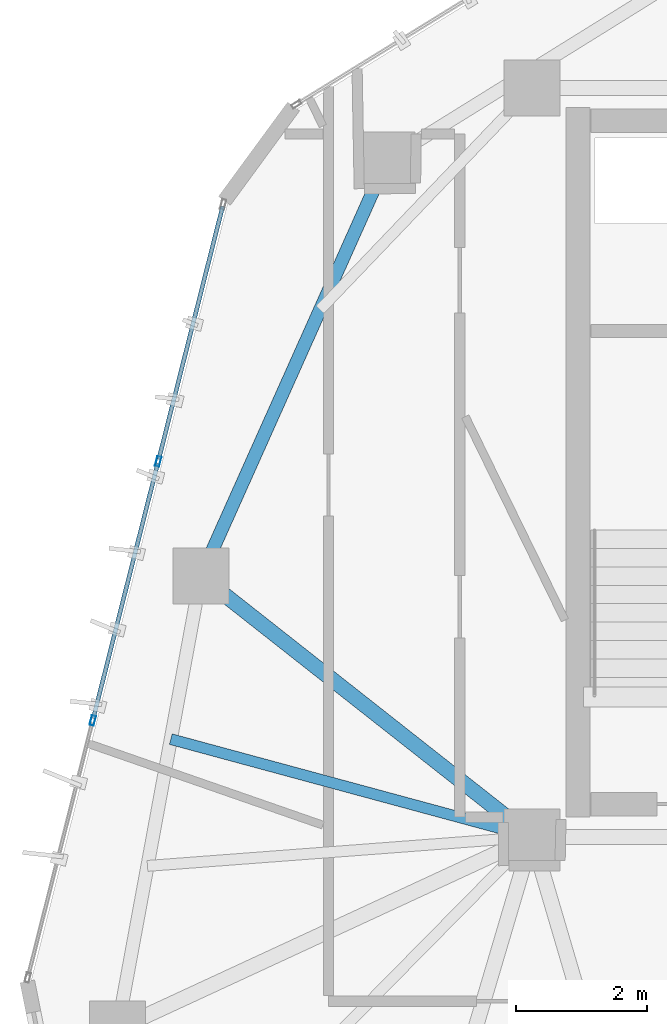
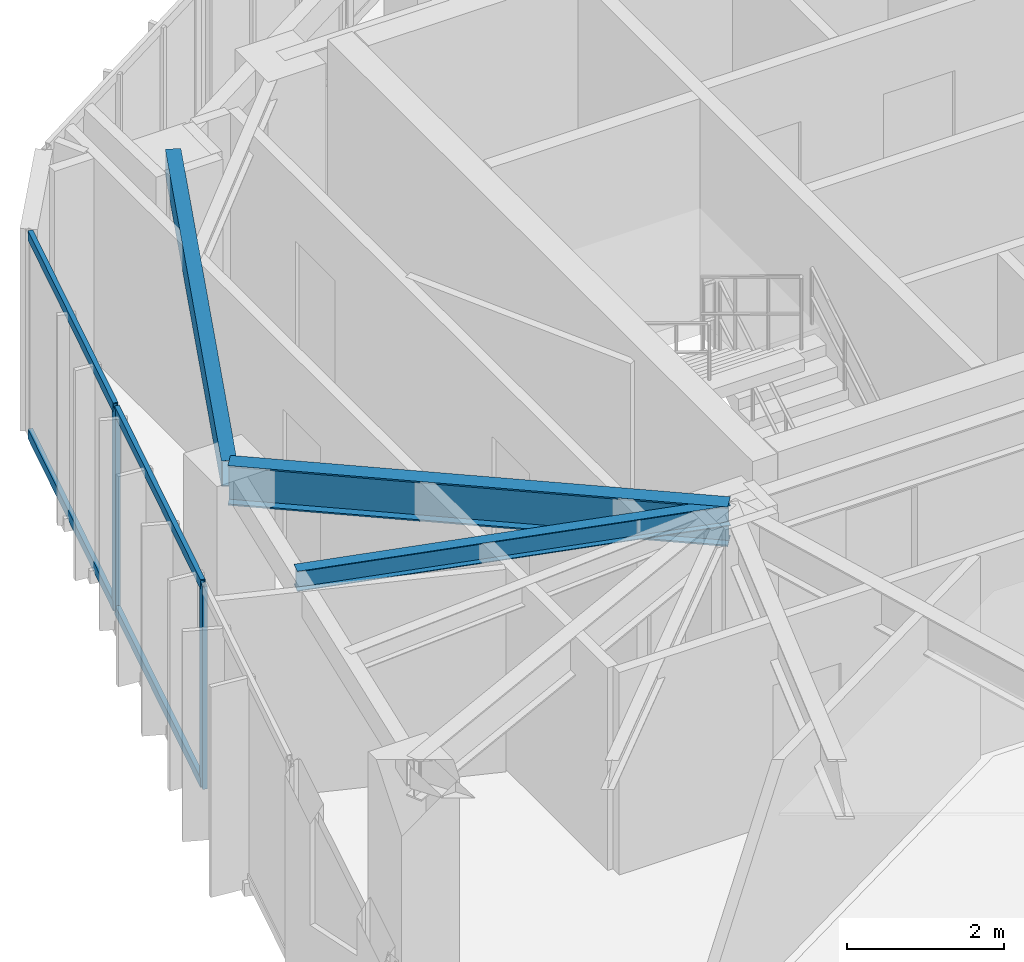
# One storey, part 8 of 20: 6 members, 3 beams, 1 element without a shape of its own.
"""IFC4 building model written with IfcOpenShell, lengths in metres."""

import ifcopenshell
import ifcopenshell.guid

model = None  # the IFC model being written
_history = None  # IfcOwnerHistory: only IFC2X3 demands one
_inside = {}  # id of a spatial element -> (the spatial element, [elements in it])
_under = {}  # id of a project, library or spatial element -> (it, [spatial elements below it])
_declared = {}  # id of a project -> (the project, [libraries it declares])
_typed = {}  # id of a type object -> (the type object, [elements of that type])
_made_of = {}  # id of a material, layer set ... -> (it, [elements and type objects made of it])


def new_model(schema):
    """Start an empty IFC model of exactly this schema.

    Asked for "IFC4X3", IfcOpenShell would pick the latest addendum, in which some entities
    have other attributes; the version numbers below select the first issue.
    IFC2X3 requires an IfcOwnerHistory on every rooted entity: one is made here for all.
    """
    global model, _history
    if schema == "IFC4X3":
        model = ifcopenshell.file(schema_version=(4, 3, 0, 0))
    else:
        model = ifcopenshell.file(schema=schema)
    _inside.clear()
    _under.clear()
    _declared.clear()
    _typed.clear()
    _made_of.clear()
    _history = None
    if model.schema == "IFC2X3":
        org = make("IfcOrganization", Name="unknown")
        user = make(
            "IfcPersonAndOrganization",
            ThePerson=make("IfcPerson", FamilyName="unknown"),
            TheOrganization=org,
        )
        app = make(
            "IfcApplication",
            ApplicationDeveloper=org,
            Version="unknown",
            ApplicationFullName="unknown",
            ApplicationIdentifier="unknown",
        )
        _history = make(
            "IfcOwnerHistory",
            OwningUser=user,
            OwningApplication=app,
            ChangeAction="ADDED",
            CreationDate=0,
        )
    return model


def make(cls, **values):
    """One entity of the class cls with the attributes given. An attribute that is None is left unset."""
    return model.create_entity(
        cls, **{name: value for name, value in values.items() if value is not None}
    )


def rooted(cls, **values):
    """An entity with a GlobalId (a new one), such as an element, a storey or a relation."""
    return make(cls, GlobalId=ifcopenshell.guid.new(), OwnerHistory=_history, **values)


def si_unit(unit_type, name, prefix=None):
    """IfcSIUnit, for example si_unit("LENGTHUNIT", "METRE", prefix="MILLI")."""
    return make("IfcSIUnit", UnitType=unit_type, Prefix=prefix, Name=name)


def assignment(units):
    """IfcUnitAssignment: the units of a project."""
    return None if units is None else make("IfcUnitAssignment", Units=units)


def point(xyz):
    """IfcCartesianPoint."""
    return None if xyz is None else make("IfcCartesianPoint", Coordinates=xyz)


def direction(xyz):
    """IfcDirection."""
    return None if xyz is None else make("IfcDirection", DirectionRatios=xyz)


def frame(location, z_axis=None, x_axis=None):
    """IfcAxis2Placement3D, a coordinate frame: its origin and axes. An axis left out is left unset."""
    return make(
        "IfcAxis2Placement3D",
        Location=point(location),
        Axis=direction(z_axis),
        RefDirection=direction(x_axis),
    )


def frame_2d(location, x_axis=None):
    """IfcAxis2Placement2D, a coordinate frame in the plane: its origin and x axis."""
    return make(
        "IfcAxis2Placement2D", Location=point(location), RefDirection=direction(x_axis)
    )


def origin():
    """The frame at (0, 0, 0) with its axes left unset."""
    return frame((0.0, 0.0, 0.0))


def origin_2d():
    """The frame at (0, 0) in the plane with its x axis left unset."""
    return frame_2d((0.0, 0.0))


def place(relative_to, where):
    """IfcLocalPlacement: puts the frame where relative to a parent placement (None: the world)."""
    return make(
        "IfcLocalPlacement", PlacementRelTo=relative_to, RelativePlacement=where
    )


def context(
    kind, dimensions, precision=None, world=None, true_north=None, identifier=None
):
    """IfcGeometricRepresentationContext, for example the 3D "Model" context."""
    return make(
        "IfcGeometricRepresentationContext",
        ContextIdentifier=identifier,
        ContextType=kind,
        CoordinateSpaceDimension=dimensions,
        Precision=precision,
        WorldCoordinateSystem=world,
        TrueNorth=true_north,
    )


def subcontext(parent, identifier, kind, view, scale=None):
    """IfcGeometricRepresentationSubContext, for example "Body" below "Model"."""
    return make(
        "IfcGeometricRepresentationSubContext",
        ContextIdentifier=identifier,
        ContextType=kind,
        ParentContext=parent,
        TargetScale=scale,
        TargetView=view,
    )


def project(units=None, contexts=None):
    """IfcProject with its units and contexts."""
    return rooted(
        "IfcProject",
        Name="project",
        RepresentationContexts=contexts,
        UnitsInContext=assignment(units),
    )


def spatial(cls, under=None, at=None, **own):
    """A site, building, storey or space (cls), placed at a placement, below another one or the project."""
    s = rooted(cls, ObjectPlacement=at, **own)
    if under is not None:
        _under.setdefault(under.id(), (under, []))[1].append(s)
    return s


def profile(cls, at=None, kind="AREA", **sizes):
    """A parametric profile (cls). Its sizes go by their IFC names, for example OverallWidth=200.0."""
    return make(cls, ProfileType=kind, Position=at, **sizes)


def hollow_rectangle(**sizes):
    """IfcRectangleHollowProfileDef."""
    return profile("IfcRectangleHollowProfileDef", **sizes)


def i_section(**sizes):
    """IfcIShapeProfileDef."""
    return profile("IfcIShapeProfileDef", **sizes)


def extrude(swept, where, along, depth):
    """IfcExtrudedAreaSolid: the profile swept, set in the frame where, extruded along a direction by depth."""
    return make(
        "IfcExtrudedAreaSolid",
        SweptArea=swept,
        Position=where,
        ExtrudedDirection=direction(along),
        Depth=depth,
    )


def shape(context_of_items, identifier, shape_type, items):
    """IfcShapeRepresentation: the items that make up one representation, for example the "Body"."""
    return make(
        "IfcShapeRepresentation",
        ContextOfItems=context_of_items,
        RepresentationIdentifier=identifier,
        RepresentationType=shape_type,
        Items=items,
    )


def source(mapping_origin, context_of_items, identifier, shape_type, items):
    """IfcRepresentationMap: a shape defined once, which mapped items show again and again."""
    return make(
        "IfcRepresentationMap",
        MappingOrigin=mapping_origin,
        MappedRepresentation=shape(context_of_items, identifier, shape_type, items),
    )


def transform(
    local_origin,
    x_axis=None,
    y_axis=None,
    z_axis=None,
    scale=None,
    scale2=None,
    scale3=None,
    uniform=True,
):
    """IfcCartesianTransformationOperator3D, or its non-uniform kind. x_axis, y_axis, z_axis: its Axis1, 2, 3."""
    if uniform:
        return make(
            "IfcCartesianTransformationOperator3D",
            Axis1=direction(x_axis),
            Axis2=direction(y_axis),
            LocalOrigin=point(local_origin),
            Scale=scale,
            Axis3=direction(z_axis),
        )
    return make(
        "IfcCartesianTransformationOperator3DnonUniform",
        Axis1=direction(x_axis),
        Axis2=direction(y_axis),
        LocalOrigin=point(local_origin),
        Scale=scale,
        Axis3=direction(z_axis),
        Scale2=scale2,
        Scale3=scale3,
    )


def mapped(mapping_source, mapping_target):
    """IfcMappedItem: shows the shape of a source again, moved by a transform."""
    return make(
        "IfcMappedItem", MappingSource=mapping_source, MappingTarget=mapping_target
    )


def material(Name=None, Category=None):
    """IfcMaterial."""
    return make("IfcMaterial", Name=Name, Category=Category)


def layer(
    of_material, thickness, ventilated=None, Name=None, Category=None, Priority=None
):
    """IfcMaterialLayer: one layer of a wall or slab, of a material (None: an air gap)."""
    return make(
        "IfcMaterialLayer",
        Material=of_material,
        LayerThickness=thickness,
        IsVentilated=ventilated,
        Name=Name,
        Category=Category,
        Priority=Priority,
    )


def layer_set(layers, Name=None):
    """IfcMaterialLayerSet."""
    return make("IfcMaterialLayerSet", MaterialLayers=layers, LayerSetName=Name)


def material_profile(
    of_material, cross_section, Name=None, Category=None, Priority=None
):
    """IfcMaterialProfile: a cross section and its material."""
    return make(
        "IfcMaterialProfile",
        Name=Name,
        Material=of_material,
        Profile=cross_section,
        Priority=Priority,
        Category=Category,
    )


def profile_set(profiles, Name=None, composite=None):
    """IfcMaterialProfileSet."""
    return make(
        "IfcMaterialProfileSet",
        Name=Name,
        MaterialProfiles=profiles,
        CompositeProfile=composite,
    )


def made_of(thing, what):
    """Note that an element or type object is made of a material, layer set ...; save() writes the relation."""
    if what is not None:
        _made_of.setdefault(what.id(), (what, []))[1].append(thing)
    return thing


def type_object(cls, material=None, **own):
    """A type object (cls), such as IfcWallType, which elements share."""
    return made_of(rooted(cls, **own), material)


def type_shapes(of_type, sources):
    """Give a type object the sources (RepresentationMaps) that its elements show as mapped items."""
    of_type.RepresentationMaps = sources


def element(
    cls,
    number,
    at=None,
    inside=None,
    cuts=None,
    type_object=None,
    material=None,
    context=None,
    identifier="Body",
    shape_type=None,
    held_by="IfcProductDefinitionShape",
    body=None,
    shapes=None,
    **own,
):
    """One element of the class cls, such as IfcWall. Its Tag is "e" and its number.

    at: its placement. inside: the storey or other place that contains it. cuts: it is an
    opening in that element (IfcRelVoidsElement). A single representation is given by context,
    identifier, shape_type and body (its items); several are given by shapes. held_by: the class
    of the entity that holds the representations. save() writes the other relations.
    """
    e = rooted(cls, Tag="e%d" % number, ObjectPlacement=at, **own)
    if body is not None:
        shapes = [shape(context, identifier, shape_type, body)]
    if shapes is not None:
        e.Representation = make(held_by, Representations=shapes)
    if inside is not None:
        _inside.setdefault(inside.id(), (inside, []))[1].append(e)
    if cuts is not None:
        rooted(
            "IfcRelVoidsElement", RelatingBuildingElement=cuts, RelatedOpeningElement=e
        )
    if type_object is not None:
        _typed.setdefault(type_object.id(), (type_object, []))[1].append(e)
    return made_of(e, material)


def aggregate(whole, parts):
    """IfcRelAggregates: a whole, such as a stair, and the parts it consists of."""
    return rooted("IfcRelAggregates", RelatingObject=whole, RelatedObjects=parts)


def save(model, path):
    """Write the relations noted so far, then the file.

    IfcRelAggregates (storeys below a building ...), IfcRelContainedInSpatialStructure (elements
    in a storey), IfcRelDefinesByType, IfcRelAssociatesMaterial and IfcRelDeclares: one each for
    every whole, place, type object, material and project.
    """
    for whole, parts in _under.values():
        aggregate(whole, parts)
    for where, things in _inside.values():
        rooted(
            "IfcRelContainedInSpatialStructure",
            RelatedElements=things,
            RelatingStructure=where,
        )
    for kind, things in _typed.values():
        rooted("IfcRelDefinesByType", RelatedObjects=things, RelatingType=kind)
    for what, things in _made_of.values():
        rooted("IfcRelAssociatesMaterial", RelatedObjects=things, RelatingMaterial=what)
    for by, libraries in _declared.values():
        rooted("IfcRelDeclares", RelatingContext=by, RelatedDefinitions=libraries)
    model.write(path)


model = new_model("IFC4")

# Units and contexts
model_context = context("Model", 3, precision=1e-05, world=origin(), true_north=direction((0.0, 1.0)))
body_context = subcontext(model_context, "Body", "Model", "MODEL_VIEW")
ifc_project = project(units=[si_unit("LENGTHUNIT", "METRE"), si_unit("AREAUNIT", "SQUARE_METRE"), si_unit("VOLUMEUNIT", "CUBIC_METRE"), si_unit("PLANEANGLEUNIT", "RADIAN"), si_unit("MASSUNIT", "GRAM", prefix="KILO")], contexts=[model_context])

# Site, building, storey
site_placement = place(None, origin())
site = spatial("IfcSite", under=ifc_project, at=site_placement, CompositionType="ELEMENT")
building_placement = place(site_placement, origin())
building = spatial("IfcBuilding", under=site, at=building_placement, Name="Talar Marvaseh", CompositionType="ELEMENT")
storey_placement = place(building_placement, frame((0.0, 0.0, 251.0)))
storey = spatial("IfcBuildingStorey", under=building, at=storey_placement, Name="L66", CompositionType="ELEMENT", Elevation=251.0)

# Beams
ifc_material_1 = material(Name="Steel S355", Category="steel")
ifc_material_profile_1 = material_profile(ifc_material_1, hollow_rectangle(XDim=0.199951171875, YDim=0.39990234375, WallThickness=0.013916015625, at=origin_2d()), Name="RHS400x200x14")
ifc_profile_set_1 = profile_set([ifc_material_profile_1], Name="Steel S355")
beam_type_1 = type_object("IfcBeamType", Name="Zone 3 Perimeter Spandrel Beam RHS400x200x14", PredefinedType="SPANDREL", material=ifc_profile_set_1)
beam_1_placement = place(storey_placement, frame((13.657958984375, 29.469970703125, 2.93994140625), z_axis=(0.408486346803, 0.912764429892, 0.0), x_axis=(-0.912764429892, 0.408486346803, 0.0)))
element("IfcBeam", 1, at=beam_1_placement, inside=storey, type_object=beam_type_1, Name="L66 Zone 3 Perimeter Spandrel Beam RHS400x200x14", PredefinedType="SPANDREL", context=body_context, shape_type="SweptSolid", body=[
    extrude(hollow_rectangle(XDim=0.199951171875, YDim=0.39990234375, WallThickness=0.013916015625, at=origin_2d()), origin(), (0.0, 0.0, 1.0), 6.942626953125),
])
ifc_material_profile_2 = material_profile(ifc_material_1, i_section(OverallWidth=0.166015625, OverallDepth=0.31298828125, WebThickness=0.006591796875, FlangeThickness=0.01123046875, at=origin_2d()), Name="W310x45")
ifc_profile_set_2 = profile_set([ifc_material_profile_2], Name="Steel S355")
beam_type_2 = type_object("IfcBeamType", Name="Zone 3 Secondary Floor Joist W310x45", PredefinedType="JOIST", material=ifc_profile_set_2)
beam_2_placement = place(storey_placement, frame((13.201171875, 26.988525390625, 2.9833984375), z_axis=(0.965258580671, -0.26129652206, 0.0), x_axis=(0.26129652206, 0.965258580671, 0.0)))
element("IfcBeam", 2, at=beam_2_placement, inside=storey, type_object=beam_type_2, Name="L66 Zone 3 Secondary Floor Joist W310x45", PredefinedType="JOIST", context=body_context, shape_type="SweptSolid", body=[
    extrude(i_section(OverallWidth=0.166015625, OverallDepth=0.31298828125, WebThickness=0.006591796875, FlangeThickness=0.01123046875, at=origin_2d()), origin(), (0.0, 0.0, 1.0), 5.69677734375),
])
ifc_material_profile_3 = material_profile(ifc_material_1, i_section(OverallWidth=0.22998046875, OverallDepth=0.616943359375, WebThickness=0.01318359375, FlangeThickness=0.022216796875, at=origin_2d()), Name="W610x140")
ifc_profile_set_3 = profile_set([ifc_material_profile_3], Name="Steel S355")
beam_type_3 = type_object("IfcBeamType", Name="Zone 4 Radial Floor Girder W610x140", PredefinedType="BEAM", material=ifc_profile_set_3)
beam_3_placement = place(storey_placement, frame((13.657958984375, 29.469970703125, 2.83154296875), z_axis=(0.785681617372, -0.618631066245, 0.0), x_axis=(0.618631066245, 0.785681617372, 0.0)))
element("IfcBeam", 3, at=beam_3_placement, inside=storey, type_object=beam_type_3, Name="L66 Zone 4 Radial Floor Girder W610x140", PredefinedType="BEAM", context=body_context, shape_type="SweptSolid", body=[
    extrude(i_section(OverallWidth=0.22998046875, OverallDepth=0.616943359375, WebThickness=0.01318359375, FlangeThickness=0.022216796875, at=origin_2d()), origin(), (0.0, 0.0, 1.0), 6.417236328125),
])

# Curtain wall, members
ifc_material_2 = material(Name="Architectural Aluminium", Category="aluminium")
ifc_layer = layer(ifc_material_2, 0.179931640625)
ifc_layer_set = layer_set([ifc_layer], Name="Architectural Aluminium")
curtain_wall_type = type_object("IfcCurtainWallType", Name="Unitised High-Wind Sky Curtain Wall Z4", PredefinedType="NOTDEFINED", material=ifc_layer_set)
curtain_wall_placement = place(storey_placement, origin())
curtain_wall = element("IfcCurtainWall", 4, at=curtain_wall_placement, inside=storey, type_object=curtain_wall_type, Name="L66 Unitised High-Wind Sky Curtain Wall Z4", PredefinedType="NOTDEFINED")
ifc_material_profile_4 = material_profile(ifc_material_2, hollow_rectangle(XDim=0.06494140625, YDim=0.14990234375, WallThickness=0.00390625, at=origin_2d()), Name="RHS150x65x4")
ifc_profile_set_4 = profile_set([ifc_material_profile_4], Name="Architectural Aluminium")
member_type_1 = type_object("IfcMemberType", Name="Unitised Curtain Wall Slim Mullion RHS150x65x4", PredefinedType="MULLION", material=ifc_profile_set_4)
shared_shape_1 = source(origin(), body_context, "Body", "SweptSolid", [
    extrude(hollow_rectangle(XDim=0.06494140625, YDim=0.14990234375, WallThickness=0.00390625, at=origin_2d()), origin(), (0.0, 0.0, 1.0), 3.139892578125),
])
type_shapes(member_type_1, [shared_shape_1])
member_1_placement = place(storey_placement, frame((12.01318359375, 27.2724609375, 0.0), z_axis=(0.0, 0.0, 1.0), x_axis=(-0.969522501223, 0.245002284933, 0.0)))
member_1 = element("IfcMember", 5, at=member_1_placement, type_object=member_type_1, Name="CW-Z4 mullion 2", PredefinedType="MULLION", context=body_context, shape_type="MappedRepresentation", body=[
    mapped(shared_shape_1, transform((0.0, 0.0, 0.0), x_axis=(1.0, 0.0, 0.0), y_axis=(0.0, 1.0, 0.0), z_axis=(0.0, 0.0, 1.0), scale=1.0)),
])
member_2_placement = place(storey_placement, frame((13.010009765625, 31.21728515625, 0.0), z_axis=(0.0, 0.0, 1.0), x_axis=(-0.969522501223, 0.245002284933, 0.0)))
member_2 = element("IfcMember", 6, at=member_2_placement, type_object=member_type_1, Name="CW-Z4 mullion 3", PredefinedType="MULLION", context=body_context, shape_type="MappedRepresentation", body=[
    mapped(shared_shape_1, transform((0.0, 0.0, 0.0), x_axis=(1.0, 0.0, 0.0), y_axis=(0.0, 1.0, 0.0), z_axis=(0.0, 0.0, 1.0), scale=1.0)),
])
ifc_material_profile_5 = material_profile(ifc_material_2, hollow_rectangle(XDim=0.06494140625, YDim=0.14990234375, WallThickness=0.00390625, at=origin_2d()), Name="RHS150x65x4")
ifc_profile_set_5 = profile_set([ifc_material_profile_5], Name="Architectural Aluminium")
member_type_2 = type_object("IfcMemberType", Name="Unitised Curtain Wall Slim Transom RHS150x65x4", PredefinedType="USERDEFINED", material=ifc_profile_set_5)
shared_shape_2 = source(origin(), body_context, "Body", "SweptSolid", [
    extrude(hollow_rectangle(XDim=0.06494140625, YDim=0.14990234375, WallThickness=0.00390625, at=origin_2d()), origin(), (0.0, 0.0, 1.0), 3.97119140625),
])
member_3_placement = place(storey_placement, frame((13.017822265625, 31.248779296875, 0.032470703125), z_axis=(0.245051795414, 0.969509988378, 0.0), x_axis=(-0.969509988378, 0.245051795414, 0.0)))
member_3 = element("IfcMember", 7, at=member_3_placement, type_object=member_type_2, Name="CW-Z4 transom 3.1", ObjectType="TRANSOM", PredefinedType="USERDEFINED", context=body_context, shape_type="MappedRepresentation", body=[
    mapped(shared_shape_2, transform((0.0, 0.0, 0.0), x_axis=(1.0, 0.0, 0.0), y_axis=(0.0, 1.0, 0.0), z_axis=(0.0, 0.0, 1.0), scale=1.0)),
])
member_4_placement = place(storey_placement, frame((13.017822265625, 31.248779296875, 3.107421875), z_axis=(0.245051795414, 0.969509988378, 0.0), x_axis=(-0.969509988378, 0.245051795414, 0.0)))
member_4 = element("IfcMember", 8, at=member_4_placement, type_object=member_type_2, Name="CW-Z4 transom 3.2", ObjectType="TRANSOM", PredefinedType="USERDEFINED", context=body_context, shape_type="MappedRepresentation", body=[
    mapped(shared_shape_2, transform((0.0, 0.0, 0.0), x_axis=(1.0, 0.0, 0.0), y_axis=(0.0, 1.0, 0.0), z_axis=(0.0, 0.0, 1.0), scale=1.0)),
])
shared_shape_3 = source(origin(), body_context, "Body", "SweptSolid", [
    extrude(hollow_rectangle(XDim=0.06494140625, YDim=0.14990234375, WallThickness=0.00390625, at=origin_2d()), origin(), (0.0, 0.0, 1.0), 4.00390625),
])
type_shapes(member_type_2, [shared_shape_2, shared_shape_3])
member_5_placement = place(storey_placement, frame((12.02099609375, 27.303955078125, 0.032470703125), z_axis=(0.245002585221, 0.969522425339, 0.0), x_axis=(-0.969522425339, 0.245002585221, 0.0)))
member_5 = element("IfcMember", 9, at=member_5_placement, type_object=member_type_2, Name="CW-Z4 transom 2.1", ObjectType="TRANSOM", PredefinedType="USERDEFINED", context=body_context, shape_type="MappedRepresentation", body=[
    mapped(shared_shape_3, transform((0.0, 0.0, 0.0), x_axis=(1.0, 0.0, 0.0), y_axis=(0.0, 1.0, 0.0), z_axis=(0.0, 0.0, 1.0), scale=1.0)),
])
member_6_placement = place(storey_placement, frame((12.02099609375, 27.303955078125, 3.107421875), z_axis=(0.245002585221, 0.969522425339, 0.0), x_axis=(-0.969522425339, 0.245002585221, 0.0)))
member_6 = element("IfcMember", 10, at=member_6_placement, type_object=member_type_2, Name="CW-Z4 transom 2.2", ObjectType="TRANSOM", PredefinedType="USERDEFINED", context=body_context, shape_type="MappedRepresentation", body=[
    mapped(shared_shape_3, transform((0.0, 0.0, 0.0), x_axis=(1.0, 0.0, 0.0), y_axis=(0.0, 1.0, 0.0), z_axis=(0.0, 0.0, 1.0), scale=1.0)),
])
aggregate(curtain_wall, [member_1, member_2, member_5, member_6, member_3, member_4])

save(model, "model.ifc")
